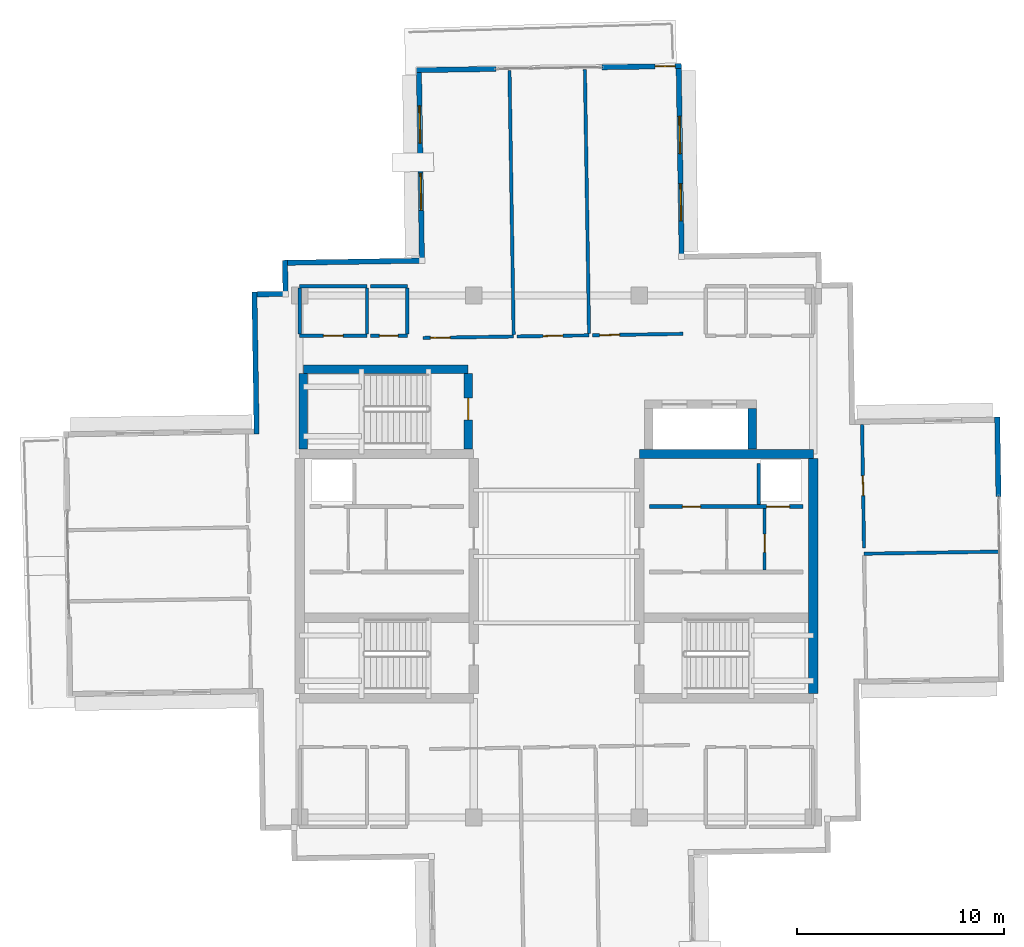
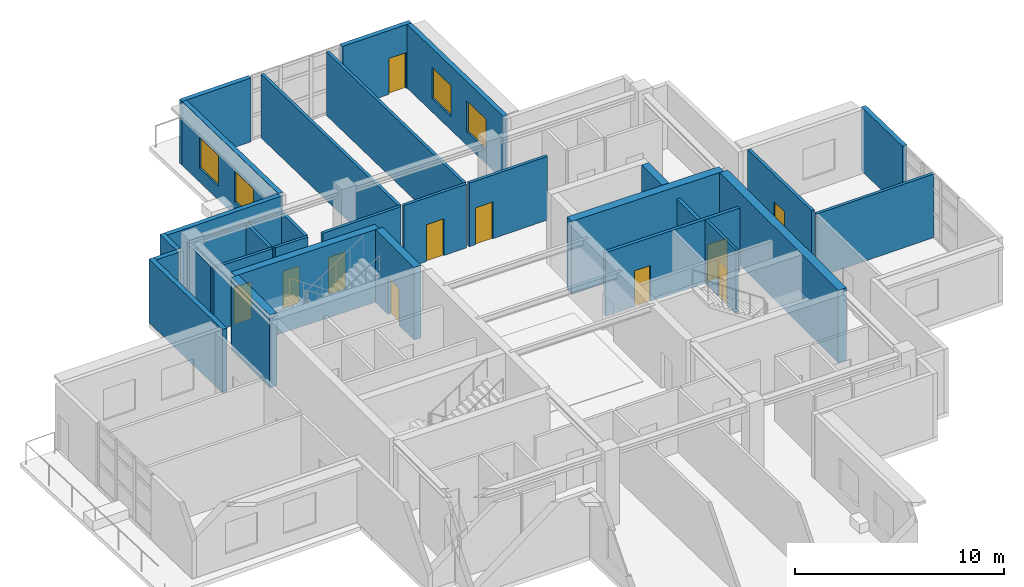
# One storey, part 12 of 18: 32 walls, 11 doors, 4 windows, 15 openings.
"""IFC4 building model written with IfcOpenShell, lengths in metres."""

from ifc_helpers import new_model, si_unit, direction, frame, frame_2d, origin, place, context, subcontext, project, spatial, rectangle, extrude, material, layer, layer_set, type_object, element, fill, save


model = new_model("IFC4")

# Units and contexts
model_context = context("Model", 3, precision=1e-05, world=origin(), true_north=direction((0.0, 1.0)))
body_context = subcontext(model_context, "Body", "Model", "MODEL_VIEW")
ifc_project = project(units=[si_unit("LENGTHUNIT", "METRE"), si_unit("AREAUNIT", "SQUARE_METRE"), si_unit("VOLUMEUNIT", "CUBIC_METRE"), si_unit("PLANEANGLEUNIT", "RADIAN"), si_unit("MASSUNIT", "GRAM", prefix="KILO")], contexts=[model_context])

# Site, building, storey
site_placement = place(None, origin())
site = spatial("IfcSite", under=ifc_project, at=site_placement, CompositionType="ELEMENT")
building_placement = place(site_placement, origin())
building = spatial("IfcBuilding", under=site, at=building_placement, Name="Qingluan Cross Belvedere", CompositionType="ELEMENT")
storey_placement = place(building_placement, frame((0.0, 0.0, 303.89990234375)))
storey = spatial("IfcBuildingStorey", under=building, at=storey_placement, Name="L75", CompositionType="ELEMENT", Elevation=303.89990234375)

# Walls
ifc_material_1 = material(Name="Concrete C50", Category="concrete")
ifc_layer_1 = layer(ifc_material_1, 0.449951171875, Name="CoreShearWall_450")
ifc_layer_set_1 = layer_set([ifc_layer_1], Name="Concrete C50")
wall_type_1 = type_object("IfcWallType", Name="CoreShearWall_450", PredefinedType="SHEAR", material=ifc_layer_set_1)
wall_1_placement = place(storey_placement, frame((4.0, 4.949951171875, 0.0), z_axis=(0.0, 0.0, 1.0), x_axis=(1.0, 0.0, 0.0)))
element("IfcWall", 1, at=wall_1_placement, inside=storey, type_object=wall_type_1, Name="Split core E shear wall L75-N", PredefinedType="SHEAR", context=body_context, shape_type="SweptSolid", body=[
    extrude(rectangle(XDim=8.39990234375, YDim=0.449951171875, at=frame_2d((4.199951171875, 0.0))), origin(), (0.0, 0.0, 1.0), 4.25),
])
wall_2_placement = place(storey_placement, frame((12.39990234375, -6.6201171875, 0.0), z_axis=(0.0, 0.0, 1.0), x_axis=(0.0, 1.0, 0.0)))
element("IfcWall", 2, at=wall_2_placement, inside=storey, type_object=wall_type_1, Name="Split core E shear wall L75-E", PredefinedType="SHEAR", context=body_context, shape_type="SweptSolid", body=[
    extrude(rectangle(XDim=11.340087890625, YDim=0.449951171875, at=frame_2d((5.669921875, 0.0))), origin(), (0.0, 0.0, 1.0), 4.25),
])
wall_3_placement = place(storey_placement, frame((-12.219970703125, 9.0400390625, 0.0), z_axis=(0.0, 0.0, 1.0), x_axis=(1.0, 0.0, 0.0)))
element("IfcWall", 3, at=wall_3_placement, inside=storey, type_object=wall_type_1, Name="Stair ST3 structural wall N L75", PredefinedType="SHEAR", context=body_context, shape_type="SweptSolid", body=[
    extrude(rectangle(XDim=7.9599609375, YDim=0.39990234375, at=frame_2d((3.97998046875, 0.0))), origin(), (0.0, 0.0, 1.0), 4.25),
])
wall_4_placement = place(storey_placement, frame((-12.219970703125, 5.179931640625, 0.0), z_axis=(0.0, 0.0, 1.0), x_axis=(0.0, 1.0, 0.0)))
element("IfcWall", 4, at=wall_4_placement, inside=storey, type_object=wall_type_1, Name="Stair ST3 structural wall W L75", PredefinedType="SHEAR", context=body_context, shape_type="SweptSolid", body=[
    extrude(rectangle(XDim=3.655029296875, YDim=0.39990234375, at=frame_2d((1.82763671875, 0.0))), origin(), (0.0, 0.0, 1.0), 4.25),
])

# Wall, opening, door
wall_5_placement = place(storey_placement, frame((-4.260009765625, 5.179931640625, 0.0), z_axis=(0.0, 0.0, 1.0), x_axis=(0.0, 1.0, 0.0)))
wall_5 = element("IfcWall", 5, at=wall_5_placement, inside=storey, type_object=wall_type_1, Name="Stair ST3 structural wall E L75", PredefinedType="SHEAR", context=body_context, shape_type="SweptSolid", body=[
    extrude(rectangle(XDim=3.655029296875, YDim=0.39990234375, at=frame_2d((1.82763671875, 0.0))), origin(), (0.0, 0.0, 1.0), 4.25),
])
opening_1_placement = place(wall_5_placement, frame((1.419921875, 0.0, 0.0)))
opening_1 = element("IfcOpeningElement", 6, at=opening_1_placement, cuts=wall_5, Name="Opening FD-B11", PredefinedType="OPENING", context=body_context, shape_type="SweptSolid", body=[
    extrude(rectangle(XDim=1.050048828125, YDim=2.14990234375, at=frame_2d((0.52490234375, 1.074951171875))), frame((0.0, 0.2099609375, 0.0), z_axis=(0.0, -1.0, 0.0), x_axis=(1.0, 0.0, 0.0)), (0.0, 0.0, 1.0), 0.419921875),
])
ifc_material_2 = material(Name="Steel Class B smoke-seal fire door", Category="steel")
door_type_1 = type_object("IfcDoorType", Name="StairLobbyFireDoor_FDB", OperationType="NOTDEFINED", PredefinedType="DOOR", material=ifc_material_2)
door_1_placement = place(opening_1_placement, origin())
door_1 = element("IfcDoor", 7, at=door_1_placement, inside=storey, type_object=door_type_1, Name="Smoke-proof stair ST3 fire door L75", OperationType="SINGLE_SWING_LEFT", OverallHeight=2.14990234375, OverallWidth=1.050048828125, PredefinedType="DOOR", context=body_context, shape_type="SweptSolid", body=[
    extrude(rectangle(XDim=1.050048828125, YDim=2.14990234375, at=frame_2d((0.52490234375, 1.074951171875))), frame((0.0, 0.02490234375, 0.0), z_axis=(0.0, -1.0, 0.0), x_axis=(1.0, 0.0, 0.0)), (0.0, 0.0, 1.0), 0.050048828125),
])
fill(opening_1, door_1)

# Wall
wall_6_placement = place(storey_placement, frame((9.449951171875, 5.179931640625, 0.0), z_axis=(0.0, 0.0, 1.0), x_axis=(0.0, 1.0, 0.0)))
element("IfcWall", 8, at=wall_6_placement, inside=storey, type_object=wall_type_1, Name="Express shuttle core wall L75-E", PredefinedType="SHEAR", context=body_context, shape_type="SweptSolid", body=[
    extrude(rectangle(XDim=1.9599609375, YDim=0.39990234375, at=frame_2d((0.97998046875, 0.0))), origin(), (0.0, 0.0, 1.0), 4.25),
])

# Wall, opening, door
ifc_material_3 = material(Name="Gypsum plasterboard on steel stud acoustic partition", Category="steel")
ifc_layer_2 = layer(ifc_material_3, 0.159912109375, Name="CorridorPartition_160")
ifc_layer_set_2 = layer_set([ifc_layer_2], Name="Gypsum plasterboard on steel stud acoustic partition")
wall_type_2 = type_object("IfcWallType", Name="CorridorPartition_160", PredefinedType="PARTITIONING", material=ifc_layer_set_2)
wall_7_placement = place(storey_placement, frame((10.050048828125, -0.652099609375, 0.0), z_axis=(0.0, 0.0, 1.0), x_axis=(0.0, 1.0, 0.0)))
wall_7 = element("IfcWall", 9, at=wall_7_placement, inside=storey, type_object=wall_type_2, Name="Partition L75:ev", PredefinedType="PARTITIONING", context=body_context, shape_type="SweptSolid", body=[
    extrude(rectangle(XDim=2.962158203125, YDim=0.139892578125, at=frame_2d((1.48095703125, 0.0))), origin(), (0.0, 0.0, 1.0), 3.72021484375),
])
opening_2_placement = place(wall_7_placement, frame((0.85009765625, 0.0, 0.0)))
opening_2 = element("IfcOpeningElement", 10, at=opening_2_placement, cuts=wall_7, Name="Opening FD-B10", PredefinedType="OPENING", context=body_context, shape_type="SweptSolid", body=[
    extrude(rectangle(XDim=0.8798828125, YDim=2.10009765625, at=frame_2d((0.43994140625, 1.050048828125))), frame((0.0, 0.079833984375, 0.0), z_axis=(0.0, -1.0, 0.0), x_axis=(1.0, 0.0, 0.0)), (0.0, 0.0, 1.0), 0.159912109375),
])
ifc_material_4 = material(Name="Steel Class B service fire door", Category="steel")
door_type_2 = type_object("IfcDoorType", Name="RiserServiceFireDoor_FDB", OperationType="NOTDEFINED", PredefinedType="DOOR", material=ifc_material_4)
door_2_placement = place(opening_2_placement, origin())
door_2 = element("IfcDoor", 11, at=door_2_placement, inside=storey, type_object=door_type_2, Name="Service closet inner door L75", OperationType="SINGLE_SWING_LEFT", OverallHeight=2.10009765625, OverallWidth=0.8798828125, PredefinedType="DOOR", context=body_context, shape_type="SweptSolid", body=[
    extrude(rectangle(XDim=0.8798828125, YDim=2.10009765625, at=frame_2d((0.43994140625, 1.050048828125))), frame((0.0, 0.02490234375, 0.0), z_axis=(0.0, -1.0, 0.0), x_axis=(1.0, 0.0, 0.0)), (0.0, 0.0, 1.0), 0.050048828125),
])
fill(opening_2, door_2)

wall_8_placement = place(storey_placement, frame((-6.4365234375, 10.55029296875, 0.0), z_axis=(0.0, 0.0, 1.0), x_axis=(0.999876776552, 0.015698143603, 0.0)))
wall_8 = element("IfcWall", 12, at=wall_8_placement, inside=storey, type_object=wall_type_2, Name="Partition L75:sr_n1:S", PredefinedType="PARTITIONING", context=body_context, shape_type="SweptSolid", body=[
    extrude(rectangle(XDim=4.3701171875, YDim=0.159912109375, at=frame_2d((2.18505859375, 0.0))), origin(), (0.0, 0.0, 1.0), 3.72021484375),
])
opening_3_placement = place(wall_8_placement, frame((0.35009765625, 0.0, 0.0)))
opening_3 = element("IfcOpeningElement", 13, at=opening_3_placement, cuts=wall_8, Name="Opening GD-10", PredefinedType="OPENING", context=body_context, shape_type="SweptSolid", body=[
    extrude(rectangle(XDim=0.9599609375, YDim=2.14990234375, at=frame_2d((0.47998046875, 1.074951171875))), frame((0.0, 0.08984375, 0.0), z_axis=(0.0, -1.0, 0.0), x_axis=(1.0, 0.0, 0.0)), (0.0, 0.0, 1.0), 0.179931640625),
])
ifc_material_5 = material(Name="Timber oak fire-rated acoustic guestroom door", Category="wood")
door_type_3 = type_object("IfcDoorType", Name="GuestEntryDoor_FD60", OperationType="NOTDEFINED", PredefinedType="DOOR", material=ifc_material_5)
door_3_placement = place(opening_3_placement, origin())
door_3 = element("IfcDoor", 14, at=door_3_placement, inside=storey, type_object=door_type_3, Name="Lower sky dining room A L75 door", OperationType="SINGLE_SWING_RIGHT", OverallHeight=2.14990234375, OverallWidth=0.9599609375, PredefinedType="DOOR", context=body_context, shape_type="SweptSolid", body=[
    extrude(rectangle(XDim=0.9599609375, YDim=2.14990234375, at=frame_2d((0.47998046875, 1.074951171875))), frame((0.0, 0.02490234375, 0.0), z_axis=(0.0, -1.0, 0.0), x_axis=(1.0, 0.0, 0.0)), (0.0, 0.0, 1.0), 0.050048828125),
])
fill(opening_3, door_3)

# Wall
wall_9_placement = place(storey_placement, frame((-2.068359375, 10.703857421875, 0.0), z_axis=(0.0, 0.0, 1.0), x_axis=(-0.015708274229, 0.999876617449, 0.0)))
element("IfcWall", 15, at=wall_9_placement, inside=storey, type_object=wall_type_2, Name="Partition L75:sr_n1:E", PredefinedType="PARTITIONING", context=body_context, shape_type="SweptSolid", body=[
    extrude(rectangle(XDim=12.760009765625, YDim=0.159912109375, at=frame_2d((6.3798828125, 0.0))), origin(), (0.0, 0.0, 1.0), 3.72021484375),
])

# Wall, opening, door
wall_10_placement = place(storey_placement, frame((-1.906982421875, 10.621337890625, 0.0), z_axis=(0.0, 0.0, 1.0), x_axis=(0.999876509383, 0.015715151424, 0.0)))
wall_10 = element("IfcWall", 16, at=wall_10_placement, inside=storey, type_object=wall_type_2, Name="Partition L75:sr_n2:S", PredefinedType="PARTITIONING", context=body_context, shape_type="SweptSolid", body=[
    extrude(rectangle(XDim=3.47998046875, YDim=0.159912109375, at=frame_2d((1.739990234375, 0.0))), origin(), (0.0, 0.0, 1.0), 3.72021484375),
])
opening_4_placement = place(wall_10_placement, frame((1.260009765625, 0.0, 0.0)))
opening_4 = element("IfcOpeningElement", 17, at=opening_4_placement, cuts=wall_10, Name="Opening GD-10", PredefinedType="OPENING", context=body_context, shape_type="SweptSolid", body=[
    extrude(rectangle(XDim=0.9599609375, YDim=2.14990234375, at=frame_2d((0.47998046875, 1.074951171875))), frame((0.0, 0.08984375, 0.0), z_axis=(0.0, -1.0, 0.0), x_axis=(1.0, 0.0, 0.0)), (0.0, 0.0, 1.0), 0.179931640625),
])
door_4_placement = place(opening_4_placement, origin())
door_4 = element("IfcDoor", 18, at=door_4_placement, inside=storey, type_object=door_type_3, Name="Lower sky dining room B L75 door", OperationType="SINGLE_SWING_LEFT", OverallHeight=2.14990234375, OverallWidth=0.9599609375, PredefinedType="DOOR", context=body_context, shape_type="SweptSolid", body=[
    extrude(rectangle(XDim=0.9599609375, YDim=2.14990234375, at=frame_2d((0.47998046875, 1.074951171875))), frame((0.0, 0.02490234375, 0.0), z_axis=(0.0, -1.0, 0.0), x_axis=(1.0, 0.0, 0.0)), (0.0, 0.0, 1.0), 0.050048828125),
])
fill(opening_4, door_4)

# Wall
wall_11_placement = place(storey_placement, frame((1.5712890625, 10.760986328125, 0.0), z_axis=(0.0, 0.0, 1.0), x_axis=(-0.01572770348, 0.999876312022, 0.0)))
element("IfcWall", 19, at=wall_11_placement, inside=storey, type_object=wall_type_2, Name="Partition L75:sr_n2:E", PredefinedType="PARTITIONING", context=body_context, shape_type="SweptSolid", body=[
    extrude(rectangle(XDim=12.759765625, YDim=0.159912109375, at=frame_2d((6.3798828125, 0.0))), origin(), (0.0, 0.0, 1.0), 3.72021484375),
])

# Wall, opening, door
wall_12_placement = place(storey_placement, frame((1.732421875, 10.678466796875, 0.0), z_axis=(0.0, 0.0, 1.0), x_axis=(0.999875884253, 0.015754875083, 0.0)))
wall_12 = element("IfcWall", 20, at=wall_12_placement, inside=storey, type_object=wall_type_2, Name="Partition L75:sr_n3:S", PredefinedType="PARTITIONING", context=body_context, shape_type="SweptSolid", body=[
    extrude(rectangle(XDim=4.369873046875, YDim=0.159912109375, at=frame_2d((2.18505859375, 0.0))), origin(), (0.0, 0.0, 1.0), 3.72021484375),
])
opening_5_placement = place(wall_12_placement, frame((0.35009765625, 0.0, 0.0)))
opening_5 = element("IfcOpeningElement", 21, at=opening_5_placement, cuts=wall_12, Name="Opening GD-10", PredefinedType="OPENING", context=body_context, shape_type="SweptSolid", body=[
    extrude(rectangle(XDim=0.9599609375, YDim=2.14990234375, at=frame_2d((0.47998046875, 1.074951171875))), frame((0.0, 0.08984375, 0.0), z_axis=(0.0, -1.0, 0.0), x_axis=(1.0, 0.0, 0.0)), (0.0, 0.0, 1.0), 0.179931640625),
])
door_5_placement = place(opening_5_placement, origin())
door_5 = element("IfcDoor", 22, at=door_5_placement, inside=storey, type_object=door_type_3, Name="Lower sky dining room C L75 door", OperationType="SINGLE_SWING_RIGHT", OverallHeight=2.14990234375, OverallWidth=0.9599609375, PredefinedType="DOOR", context=body_context, shape_type="SweptSolid", body=[
    extrude(rectangle(XDim=0.9599609375, YDim=2.14990234375, at=frame_2d((0.47998046875, 1.074951171875))), frame((0.0, 0.02490234375, 0.0), z_axis=(0.0, -1.0, 0.0), x_axis=(1.0, 0.0, 0.0)), (0.0, 0.0, 1.0), 0.050048828125),
])
fill(opening_5, door_5)

# Wall
wall_13_placement = place(storey_placement, frame((14.849609375, 0.13330078125, 0.0), z_axis=(0.0, 0.0, 1.0), x_axis=(0.999876707819, 0.015702520838, 0.0)))
element("IfcWall", 23, at=wall_13_placement, inside=storey, type_object=wall_type_2, Name="Partition L75:sr_e1:N", PredefinedType="PARTITIONING", context=body_context, shape_type="SweptSolid", body=[
    extrude(rectangle(XDim=6.530029296875, YDim=0.159912109375, at=frame_2d((3.26513671875, 0.0))), origin(), (0.0, 0.0, 1.0), 3.72021484375),
])

# Wall, opening, door
wall_14_placement = place(storey_placement, frame((14.84521484375, 0.418212890625, 0.0), z_axis=(0.0, 0.0, 1.0), x_axis=(-0.015710236818, 0.999876586614, 0.0)))
wall_14 = element("IfcWall", 24, at=wall_14_placement, inside=storey, type_object=wall_type_2, Name="Partition L75:sr_e2:W", PredefinedType="PARTITIONING", context=body_context, shape_type="SweptSolid", body=[
    extrude(rectangle(XDim=5.951904296875, YDim=0.159912109375, at=frame_2d((2.97607421875, 0.0))), origin(), (0.0, 0.0, 1.0), 3.72021484375),
])
opening_6_placement = place(wall_14_placement, frame((2.52001953125, 0.0, 0.0)))
opening_6 = element("IfcOpeningElement", 25, at=opening_6_placement, cuts=wall_14, Name="Opening GD-10", PredefinedType="OPENING", context=body_context, shape_type="SweptSolid", body=[
    extrude(rectangle(XDim=0.9599609375, YDim=2.14990234375, at=frame_2d((0.47998046875, 1.074951171875))), frame((0.0, 0.08984375, 0.0), z_axis=(0.0, -1.0, 0.0), x_axis=(1.0, 0.0, 0.0)), (0.0, 0.0, 1.0), 0.179931640625),
])
door_6_placement = place(opening_6_placement, origin())
door_6 = element("IfcDoor", 26, at=door_6_placement, inside=storey, type_object=door_type_3, Name="Lower chef table boardroom L75 door", OperationType="SINGLE_SWING_RIGHT", OverallHeight=2.14990234375, OverallWidth=0.9599609375, PredefinedType="DOOR", context=body_context, shape_type="SweptSolid", body=[
    extrude(rectangle(XDim=0.9599609375, YDim=2.14990234375, at=frame_2d((0.47998046875, 1.074951171875))), frame((0.0, 0.02490234375, 0.0), z_axis=(0.0, -1.0, 0.0), x_axis=(1.0, 0.0, 0.0)), (0.0, 0.0, 1.0), 0.050048828125),
])
fill(opening_6, door_6)

wall_15_placement = place(storey_placement, frame((-12.39990234375, 10.64990234375, 0.0), z_axis=(0.0, 0.0, 1.0), x_axis=(1.0, 0.0, 0.0)))
wall_15 = element("IfcWall", 27, at=wall_15_placement, inside=storey, type_object=wall_type_2, Name="Partition L75:crown_wc:S", PredefinedType="PARTITIONING", context=body_context, shape_type="SweptSolid", body=[
    extrude(rectangle(XDim=3.25, YDim=0.159912109375, at=frame_2d((1.625, 0.0))), origin(), (0.0, 0.0, 1.0), 3.72021484375),
])
opening_7_placement = place(wall_15_placement, frame((1.14501953125, 0.0, 0.0)))
opening_7 = element("IfcOpeningElement", 28, at=opening_7_placement, cuts=wall_15, Name="Opening GD-10", PredefinedType="OPENING", context=body_context, shape_type="SweptSolid", body=[
    extrude(rectangle(XDim=0.9599609375, YDim=2.14990234375, at=frame_2d((0.47998046875, 1.074951171875))), frame((0.0, 0.08984375, 0.0), z_axis=(0.0, -1.0, 0.0), x_axis=(1.0, 0.0, 0.0)), (0.0, 0.0, 1.0), 0.179931640625),
])
door_7_placement = place(opening_7_placement, origin())
door_7 = element("IfcDoor", 29, at=door_7_placement, inside=storey, type_object=door_type_3, Name="Restaurant washrooms L75 door", OperationType="SINGLE_SWING_LEFT", OverallHeight=2.14990234375, OverallWidth=0.9599609375, PredefinedType="DOOR", context=body_context, shape_type="SweptSolid", body=[
    extrude(rectangle(XDim=0.9599609375, YDim=2.14990234375, at=frame_2d((0.47998046875, 1.074951171875))), frame((0.0, 0.02490234375, 0.0), z_axis=(0.0, -1.0, 0.0), x_axis=(1.0, 0.0, 0.0)), (0.0, 0.0, 1.0), 0.050048828125),
])
fill(opening_7, door_7)

# Walls
wall_16_placement = place(storey_placement, frame((-12.39990234375, 13.050048828125, 0.0), z_axis=(0.0, 0.0, 1.0), x_axis=(1.0, 0.0, 0.0)))
element("IfcWall", 30, at=wall_16_placement, inside=storey, type_object=wall_type_2, Name="Partition L75:crown_wc:N", PredefinedType="PARTITIONING", context=body_context, shape_type="SweptSolid", body=[
    extrude(rectangle(XDim=3.25, YDim=0.159912109375, at=frame_2d((1.625, 0.0))), origin(), (0.0, 0.0, 1.0), 3.72021484375),
])
for number, where, z_axis, x_axis, name in (
    (31, (-12.39990234375, 10.735107421875, 0.0), (0.0, 0.0, 1.0), (0.0, 1.0, 0.0), "Partition L75:crown_wc:W"),
    (32, (-9.14990234375, 10.735107421875, 0.0), (0.0, 0.0, 1.0), (0.0, 1.0, 0.0), "Partition L75:crown_wc:E"),
):
    element("IfcWall", number, at=place(storey_placement, frame(where, z_axis=z_axis, x_axis=x_axis)), inside=storey, type_object=wall_type_2, Name=name, PredefinedType="PARTITIONING", context=body_context, shape_type="SweptSolid", body=[
        extrude(rectangle(XDim=2.22998046875, YDim=0.159912109375, at=frame_2d((1.114990234375, 0.0))), origin(), (0.0, 0.0, 1.0), 3.72021484375),
    ])

# Wall, opening, door
wall_17_placement = place(storey_placement, frame((-8.989990234375, 10.64990234375, 0.0), z_axis=(0.0, 0.0, 1.0), x_axis=(1.0, 0.0, 0.0)))
wall_17 = element("IfcWall", 33, at=wall_17_placement, inside=storey, type_object=wall_type_2, Name="Partition L75:crown_acc:S", PredefinedType="PARTITIONING", context=body_context, shape_type="SweptSolid", body=[
    extrude(rectangle(XDim=1.7900390625, YDim=0.159912109375, at=frame_2d((0.89501953125, 0.0))), origin(), (0.0, 0.0, 1.0), 3.72021484375),
])
opening_8_placement = place(wall_17_placement, frame((0.445068359375, 0.0, 0.0)))
opening_8 = element("IfcOpeningElement", 34, at=opening_8_placement, cuts=wall_17, Name="Opening BD-90", PredefinedType="OPENING", context=body_context, shape_type="SweptSolid", body=[
    extrude(rectangle(XDim=0.89990234375, YDim=2.14990234375, at=frame_2d((0.449951171875, 1.074951171875))), frame((0.0, 0.08984375, 0.0), z_axis=(0.0, -1.0, 0.0), x_axis=(1.0, 0.0, 0.0)), (0.0, 0.0, 1.0), 0.179931640625),
])
ifc_material_6 = material(Name="Moisture-sealed timber washroom door", Category="wood")
door_type_4 = type_object("IfcDoorType", Name="AccessibleWCDoor_900", OperationType="NOTDEFINED", PredefinedType="DOOR", material=ifc_material_6)
door_8_placement = place(opening_8_placement, origin())
door_8 = element("IfcDoor", 35, at=door_8_placement, inside=storey, type_object=door_type_4, Name="Accessible toilet L75 door", OperationType="SINGLE_SWING_RIGHT", OverallHeight=2.14990234375, OverallWidth=0.89990234375, PredefinedType="DOOR", context=body_context, shape_type="SweptSolid", body=[
    extrude(rectangle(XDim=0.89990234375, YDim=2.14990234375, at=frame_2d((0.449951171875, 1.074951171875))), frame((0.0, 0.02490234375, 0.0), z_axis=(0.0, -1.0, 0.0), x_axis=(1.0, 0.0, 0.0)), (0.0, 0.0, 1.0), 0.050048828125),
])
fill(opening_8, door_8)

# Walls
wall_18_placement = place(storey_placement, frame((-8.989990234375, 13.050048828125, 0.0), z_axis=(0.0, 0.0, 1.0), x_axis=(1.0, 0.0, 0.0)))
element("IfcWall", 36, at=wall_18_placement, inside=storey, type_object=wall_type_2, Name="Partition L75:crown_acc:N", PredefinedType="PARTITIONING", context=body_context, shape_type="SweptSolid", body=[
    extrude(rectangle(XDim=1.7900390625, YDim=0.159912109375, at=frame_2d((0.89501953125, 0.0))), origin(), (0.0, 0.0, 1.0), 3.72021484375),
])
wall_19_placement = place(storey_placement, frame((-7.199951171875, 10.735107421875, 0.0), z_axis=(0.0, 0.0, 1.0), x_axis=(0.0, 1.0, 0.0)))
element("IfcWall", 37, at=wall_19_placement, inside=storey, type_object=wall_type_2, Name="Partition L75:crown_acc:E", PredefinedType="PARTITIONING", context=body_context, shape_type="SweptSolid", body=[
    extrude(rectangle(XDim=2.22998046875, YDim=0.159912109375, at=frame_2d((1.114990234375, 0.0))), origin(), (0.0, 0.0, 1.0), 3.72021484375),
])
ifc_material_7 = material(Name="Precast concrete C45", Category="concrete")
ifc_layer_3 = layer(ifc_material_7, 0.25, Name="PrecastCrownWall_250")
ifc_layer_set_3 = layer_set([ifc_layer_3], Name="Precast concrete C45")
wall_type_3 = type_object("IfcWallType", Name="PrecastCrownWall_250", PredefinedType="STANDARD", material=ifc_layer_set_3)
wall_20_placement = place(storey_placement, frame((21.337158203125, 2.8935546875, 0.0), z_axis=(0.0, 0.0, 1.0), x_axis=(-0.015716526186, 0.999876487775, 0.0)))
element("IfcWall", 38, at=wall_20_placement, inside=storey, type_object=wall_type_3, Name="Terrace portal jamb wall L75-E2", PredefinedType="STANDARD", context=body_context, shape_type="SweptSolid", body=[
    extrude(rectangle(XDim=3.8369140625, YDim=0.25, at=frame_2d((1.91845703125, 0.0))), origin(), (0.0, 0.0, 1.0), 3.72998046875),
])

# Wall, openings, windows
wall_21_placement = place(storey_placement, frame((6.04150390625, 14.601806640625, 0.0), z_axis=(0.0, 0.0, 1.0), x_axis=(-0.015712579601, 0.999876549801, 0.0)))
wall_21 = element("IfcWall", 39, at=wall_21_placement, inside=storey, type_object=wall_type_3, Name="Facade wall L75-NA", PredefinedType="STANDARD", context=body_context, shape_type="SweptSolid", body=[
    extrude(rectangle(XDim=8.949951171875, YDim=0.25, at=frame_2d((4.47509765625, 0.0))), origin(), (0.0, 0.0, 1.0), 3.72998046875),
])
opening_9_placement = place(wall_21_placement, frame((1.60009765625, 0.0, 0.800048828125)))
opening_9 = element("IfcOpeningElement", 40, at=opening_9_placement, cuts=wall_21, Name="Opening W-05", PredefinedType="OPENING", context=body_context, shape_type="SweptSolid", body=[
    extrude(rectangle(XDim=1.800048828125, YDim=1.800048828125, at=frame_2d((0.89990234375, 0.89990234375))), frame((0.0, 0.135009765625, 0.0), z_axis=(0.0, -1.0, 0.0), x_axis=(1.0, 0.0, 0.0)), (0.0, 0.0, 1.0), 0.27001953125),
])
opening_10_placement = place(wall_21_placement, frame((4.85009765625, 0.0, 0.800048828125)))
opening_10 = element("IfcOpeningElement", 41, at=opening_10_placement, cuts=wall_21, Name="Opening W-05", PredefinedType="OPENING", context=body_context, shape_type="SweptSolid", body=[
    extrude(rectangle(XDim=1.800048828125, YDim=1.800048828125, at=frame_2d((0.89990234375, 0.89990234375))), frame((0.0, 0.135009765625, 0.0), z_axis=(0.0, -1.0, 0.0), x_axis=(1.0, 0.0, 0.0)), (0.0, 0.0, 1.0), 0.27001953125),
])
ifc_material_8 = material(Name="Thermally broken triple Low-E glass in aluminium frame", Category="aluminium")
window_type = type_object("IfcWindowType", Name="CrownBelvedereWin_1800x1800", PartitioningType="SINGLE_PANEL", PredefinedType="WINDOW", material=ifc_material_8)
window_1_placement = place(opening_9_placement, origin())
window_1 = element("IfcWindow", 42, at=window_1_placement, inside=storey, type_object=window_type, Name="Ribbon window L75-NA-1", OverallHeight=1.800048828125, OverallWidth=1.800048828125, PartitioningType="SINGLE_PANEL", PredefinedType="WINDOW", context=body_context, shape_type="SweptSolid", body=[
    extrude(rectangle(XDim=1.800048828125, YDim=1.800048828125, at=frame_2d((0.89990234375, 0.89990234375))), frame((0.0, 0.030029296875, 0.0), z_axis=(0.0, -1.0, 0.0), x_axis=(1.0, 0.0, 0.0)), (0.0, 0.0, 1.0), 0.06005859375),
])
fill(opening_9, window_1)
window_2_placement = place(opening_10_placement, origin())
window_2 = element("IfcWindow", 43, at=window_2_placement, inside=storey, type_object=window_type, Name="Ribbon window L75-NA-2", OverallHeight=1.800048828125, OverallWidth=1.800048828125, PartitioningType="SINGLE_PANEL", PredefinedType="WINDOW", context=body_context, shape_type="SweptSolid", body=[
    extrude(rectangle(XDim=1.800048828125, YDim=1.800048828125, at=frame_2d((0.89990234375, 0.89990234375))), frame((0.0, 0.030029296875, 0.0), z_axis=(0.0, -1.0, 0.0), x_axis=(1.0, 0.0, 0.0)), (0.0, 0.0, 1.0), 0.06005859375),
])
fill(opening_10, window_2)

wall_22_placement = place(storey_placement, frame((-6.6376953125, 23.353515625, 0.0), z_axis=(0.0, 0.0, 1.0), x_axis=(0.015712579601, -0.999876549801, 0.0)))
wall_22 = element("IfcWall", 44, at=wall_22_placement, inside=storey, type_object=wall_type_3, Name="Facade wall L75-NB", PredefinedType="STANDARD", context=body_context, shape_type="SweptSolid", body=[
    extrude(rectangle(XDim=8.949951171875, YDim=0.25, at=frame_2d((4.47509765625, 0.0))), origin(), (0.0, 0.0, 1.0), 3.72998046875),
])
opening_11_placement = place(wall_22_placement, frame((1.60009765625, 0.0, 0.800048828125)))
opening_11 = element("IfcOpeningElement", 45, at=opening_11_placement, cuts=wall_22, Name="Opening W-05", PredefinedType="OPENING", context=body_context, shape_type="SweptSolid", body=[
    extrude(rectangle(XDim=1.800048828125, YDim=1.800048828125, at=frame_2d((0.89990234375, 0.89990234375))), frame((0.0, 0.135009765625, 0.0), z_axis=(0.0, -1.0, 0.0), x_axis=(1.0, 0.0, 0.0)), (0.0, 0.0, 1.0), 0.27001953125),
])
opening_12_placement = place(wall_22_placement, frame((4.85009765625, 0.0, 0.800048828125)))
opening_12 = element("IfcOpeningElement", 46, at=opening_12_placement, cuts=wall_22, Name="Opening W-05", PredefinedType="OPENING", context=body_context, shape_type="SweptSolid", body=[
    extrude(rectangle(XDim=1.800048828125, YDim=1.800048828125, at=frame_2d((0.89990234375, 0.89990234375))), frame((0.0, 0.135009765625, 0.0), z_axis=(0.0, -1.0, 0.0), x_axis=(1.0, 0.0, 0.0)), (0.0, 0.0, 1.0), 0.27001953125),
])
window_3_placement = place(opening_11_placement, origin())
window_3 = element("IfcWindow", 47, at=window_3_placement, inside=storey, type_object=window_type, Name="Ribbon window L75-NB-1", OverallHeight=1.800048828125, OverallWidth=1.800048828125, PartitioningType="SINGLE_PANEL", PredefinedType="WINDOW", context=body_context, shape_type="SweptSolid", body=[
    extrude(rectangle(XDim=1.800048828125, YDim=1.800048828125, at=frame_2d((0.89990234375, 0.89990234375))), frame((0.0, 0.030029296875, 0.0), z_axis=(0.0, -1.0, 0.0), x_axis=(1.0, 0.0, 0.0)), (0.0, 0.0, 1.0), 0.06005859375),
])
fill(opening_11, window_3)
window_4_placement = place(opening_12_placement, origin())
window_4 = element("IfcWindow", 48, at=window_4_placement, inside=storey, type_object=window_type, Name="Ribbon window L75-NB-2", OverallHeight=1.800048828125, OverallWidth=1.800048828125, PartitioningType="SINGLE_PANEL", PredefinedType="WINDOW", context=body_context, shape_type="SweptSolid", body=[
    extrude(rectangle(XDim=1.800048828125, YDim=1.800048828125, at=frame_2d((0.89990234375, 0.89990234375))), frame((0.0, 0.030029296875, 0.0), z_axis=(0.0, -1.0, 0.0), x_axis=(1.0, 0.0, 0.0)), (0.0, 0.0, 1.0), 0.06005859375),
])
fill(opening_12, window_4)

# Wall, opening, door
wall_23_placement = place(storey_placement, frame((6.023681640625, 23.677490234375, 0.0), z_axis=(0.0, 0.0, 1.0), x_axis=(-0.999876487775, -0.015716526186, 0.0)))
wall_23 = element("IfcWall", 49, at=wall_23_placement, inside=storey, type_object=wall_type_3, Name="Terrace portal jamb wall L75-N1", PredefinedType="STANDARD", context=body_context, shape_type="SweptSolid", body=[
    extrude(rectangle(XDim=3.8369140625, YDim=0.25, at=frame_2d((1.91845703125, 0.0))), origin(), (0.0, 0.0, 1.0), 3.72998046875),
])
opening_13_placement = place(wall_23_placement, frame((0.300048828125, 0.0, 0.0)))
opening_13 = element("IfcOpeningElement", 50, at=opening_13_placement, cuts=wall_23, Name="Opening TD-10", PredefinedType="OPENING", context=body_context, shape_type="SweptSolid", body=[
    extrude(rectangle(XDim=0.9599609375, YDim=2.10009765625, at=frame_2d((0.47998046875, 1.050048828125))), frame((0.0, 0.135009765625, 0.0), z_axis=(0.0, -1.0, 0.0), x_axis=(1.0, 0.0, 0.0)), (0.0, 0.0, 1.0), 0.27001953125),
])
ifc_material_9 = material(Name="Thermally broken aluminium and Low-E glass", Category="aluminium")
door_type_5 = type_object("IfcDoorType", Name="SetbackTerraceDoor_096", OperationType="NOTDEFINED", PredefinedType="DOOR", material=ifc_material_9)
door_9_placement = place(opening_13_placement, origin())
door_9 = element("IfcDoor", 51, at=door_9_placement, inside=storey, type_object=door_type_5, Name="Outdoor terrace access door L75-set1", OperationType="SINGLE_SWING_LEFT", OverallHeight=2.10009765625, OverallWidth=0.9599609375, PredefinedType="DOOR", context=body_context, shape_type="SweptSolid", body=[
    extrude(rectangle(XDim=0.9599609375, YDim=2.10009765625, at=frame_2d((0.47998046875, 1.050048828125))), frame((0.0, 0.02490234375, 0.0), z_axis=(0.0, -1.0, 0.0), x_axis=(1.0, 0.0, 0.0)), (0.0, 0.0, 1.0), 0.050048828125),
])
fill(opening_13, door_9)

# Walls
wall_24_placement = place(storey_placement, frame((-2.927978515625, 23.536865234375, 0.0), z_axis=(0.0, 0.0, 1.0), x_axis=(-0.99987650349, -0.015715526335, 0.0)))
element("IfcWall", 52, at=wall_24_placement, inside=storey, type_object=wall_type_3, Name="Terrace portal jamb wall L75-N2", PredefinedType="STANDARD", context=body_context, shape_type="SweptSolid", body=[
    extrude(rectangle(XDim=3.837158203125, YDim=0.25, at=frame_2d((1.91845703125, 0.0))), origin(), (0.0, 0.0, 1.0), 3.72998046875),
])
wall_25_placement = place(storey_placement, frame((-14.474609375, 5.91845703125, 0.0), z_axis=(0.0, 0.0, 1.0), x_axis=(-0.015730390149, 0.999876269758, 0.0)))
element("IfcWall", 53, at=wall_25_placement, inside=storey, type_object=wall_type_3, Name="Corner wall L75-NW1", PredefinedType="STANDARD", context=body_context, shape_type="SweptSolid", body=[
    extrude(rectangle(XDim=6.85986328125, YDim=0.25, at=frame_2d((3.429931640625, 0.0))), origin(), (0.0, 0.0, 1.0), 3.72998046875),
])
wall_26_placement = place(storey_placement, frame((-14.45556640625, 12.654541015625, 0.0), z_axis=(0.0, 0.0, 1.0), x_axis=(0.999877904354, 0.015626144237, 0.0)))
element("IfcWall", 54, at=wall_26_placement, inside=storey, type_object=wall_type_3, Name="Corner wall L75-NW2", PredefinedType="STANDARD", context=body_context, shape_type="SweptSolid", body=[
    extrude(rectangle(XDim=1.25, YDim=0.25, at=frame_2d((0.625, 0.0))), origin(), (0.0, 0.0, 1.0), 3.72998046875),
])
wall_27_placement = place(storey_placement, frame((-13.082763671875, 12.801025390625, 0.0), z_axis=(0.0, 0.0, 1.0), x_axis=(-0.015625635615, 0.999877912303, 0.0)))
element("IfcWall", 55, at=wall_27_placement, inside=storey, type_object=wall_type_3, Name="Corner wall L75-NW3", PredefinedType="STANDARD", context=body_context, shape_type="SweptSolid", body=[
    extrude(rectangle(XDim=1.5, YDim=0.25, at=frame_2d((0.75, 0.0))), origin(), (0.0, 0.0, 1.0), 3.72998046875),
])
wall_28_placement = place(storey_placement, frame((-12.979248046875, 14.177978515625, 0.0), z_axis=(0.0, 0.0, 1.0), x_axis=(0.999876740359, 0.015700448681, 0.0)))
element("IfcWall", 56, at=wall_28_placement, inside=storey, type_object=wall_type_3, Name="Corner wall L75-NW4", PredefinedType="STANDARD", context=body_context, shape_type="SweptSolid", body=[
    extrude(rectangle(XDim=6.35986328125, YDim=0.25, at=frame_2d((3.179931640625, 0.0))), origin(), (0.0, 0.0, 1.0), 3.72998046875),
])

# Wall, openings, doors
ifc_material_10 = material(Name="Concrete C40", Category="concrete")
ifc_layer_4 = layer(ifc_material_10, 0.219970703125, Name="ShaftEnclosureWall_250")
ifc_layer_set_4 = layer_set([ifc_layer_4], Name="Concrete C40")
wall_type_4 = type_object("IfcWallType", Name="ShaftEnclosureWall_250", PredefinedType="SOLIDWALL", material=ifc_layer_set_4)
wall_29_placement = place(storey_placement, frame((4.47998046875, 2.409912109375, 0.0), z_axis=(0.0, 0.0, 1.0), x_axis=(1.0, 0.0, 0.0)))
wall_29 = element("IfcWall", 57, at=wall_29_placement, inside=storey, type_object=wall_type_4, Name="Core-E north hoistway wall L75", PredefinedType="SOLIDWALL", context=body_context, shape_type="SweptSolid", body=[
    extrude(rectangle(XDim=7.419921875, YDim=0.179931640625, at=frame_2d((3.7099609375, 0.0))), origin(), (0.0, 0.0, 1.0), 3.72021484375),
])
opening_14_placement = place(wall_29_placement, frame((5.669921875, 0.0, 0.0)))
opening_14 = element("IfcOpeningElement", 58, at=opening_14_placement, cuts=wall_29, Name="Opening LD-11", PredefinedType="OPENING", context=body_context, shape_type="SweptSolid", body=[
    extrude(rectangle(XDim=1.10009765625, YDim=2.14990234375, at=frame_2d((0.550048828125, 1.074951171875))), frame((0.0, 0.099853515625, 0.0), z_axis=(0.0, -1.0, 0.0), x_axis=(1.0, 0.0, 0.0)), (0.0, 0.0, 1.0), 0.199951171875),
])
opening_15_placement = place(wall_29_placement, frame((1.60009765625, 0.0, 0.0)))
opening_15 = element("IfcOpeningElement", 59, at=opening_15_placement, cuts=wall_29, Name="Opening FD-B10", PredefinedType="OPENING", context=body_context, shape_type="SweptSolid", body=[
    extrude(rectangle(XDim=0.8798828125, YDim=2.10009765625, at=frame_2d((0.43994140625, 1.050048828125))), frame((0.0, 0.099853515625, 0.0), z_axis=(0.0, -1.0, 0.0), x_axis=(1.0, 0.0, 0.0)), (0.0, 0.0, 1.0), 0.199951171875),
])
ifc_material_11 = material(Name="Brushed stainless steel centre-opening lift landing door", Category="steel")
door_type_6 = type_object("IfcDoorType", Name="LiftLandingSlidingDoor_1100", OperationType="DOUBLE_DOOR_SLIDING", PredefinedType="DOOR", material=ifc_material_11)
door_10_placement = place(opening_14_placement, origin())
door_10 = element("IfcDoor", 60, at=door_10_placement, inside=storey, type_object=door_type_6, Name="Lift landing sliding door FL2 L75", OperationType="DOUBLE_DOOR_SLIDING", OverallHeight=2.14990234375, OverallWidth=1.10009765625, PredefinedType="DOOR", context=body_context, shape_type="SweptSolid", body=[
    extrude(rectangle(XDim=1.10009765625, YDim=2.14990234375, at=frame_2d((0.550048828125, 1.074951171875))), frame((0.0, 0.02490234375, 0.0), z_axis=(0.0, -1.0, 0.0), x_axis=(1.0, 0.0, 0.0)), (0.0, 0.0, 1.0), 0.050048828125),
])
fill(opening_14, door_10)
door_11_placement = place(opening_15_placement, origin())
door_11 = element("IfcDoor", 61, at=door_11_placement, inside=storey, type_object=door_type_2, Name="Pantry room door E L75", OperationType="SINGLE_SWING_LEFT", OverallHeight=2.10009765625, OverallWidth=0.8798828125, PredefinedType="DOOR", context=body_context, shape_type="SweptSolid", body=[
    extrude(rectangle(XDim=0.8798828125, YDim=2.10009765625, at=frame_2d((0.43994140625, 1.050048828125))), frame((0.0, 0.02490234375, 0.0), z_axis=(0.0, -1.0, 0.0), x_axis=(1.0, 0.0, 0.0)), (0.0, 0.0, 1.0), 0.050048828125),
])
fill(opening_15, door_11)

# Wall
wall_30_placement = place(storey_placement, frame((9.760009765625, 2.5, 0.0), z_axis=(0.0, 0.0, 1.0), x_axis=(0.0, 1.0, 0.0)))
element("IfcWall", 62, at=wall_30_placement, inside=storey, type_object=wall_type_4, Name="Hoistway enclosure divider FL2W L75", PredefinedType="SOLIDWALL", context=body_context, shape_type="SweptSolid", body=[
    extrude(rectangle(XDim=1.989990234375, YDim=0.179931640625, at=frame_2d((0.9951171875, 0.0))), origin(), (0.0, 0.0, 1.0), 3.72021484375),
])

save(model, "model.ifc")
